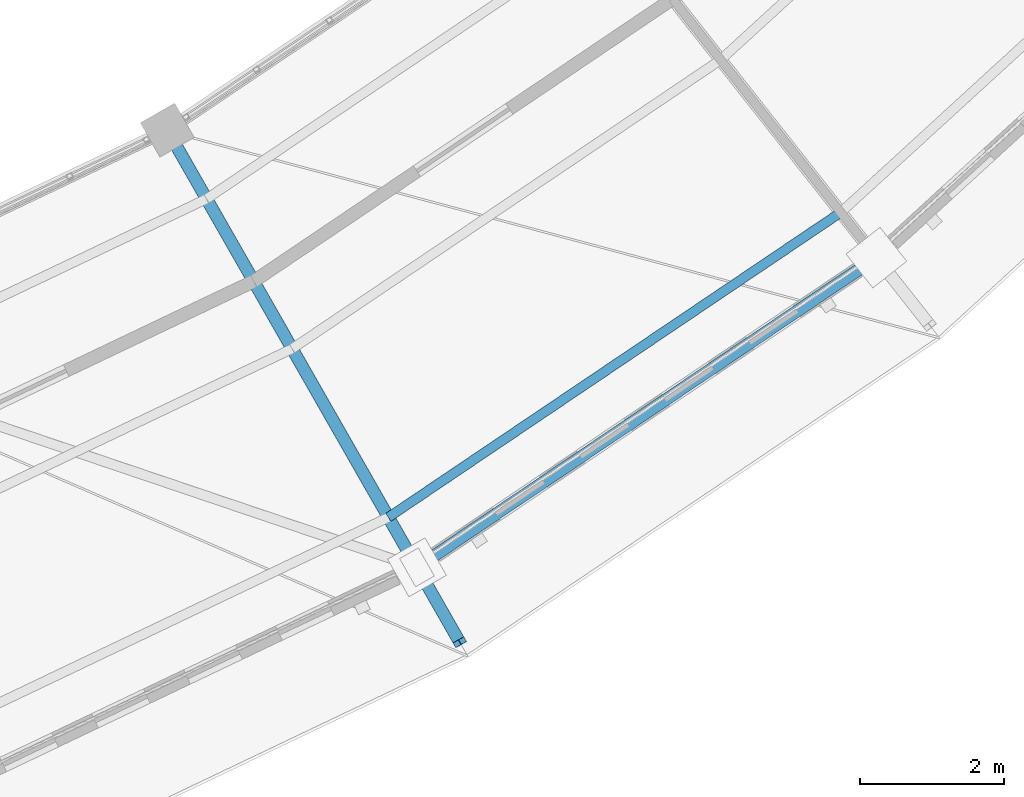
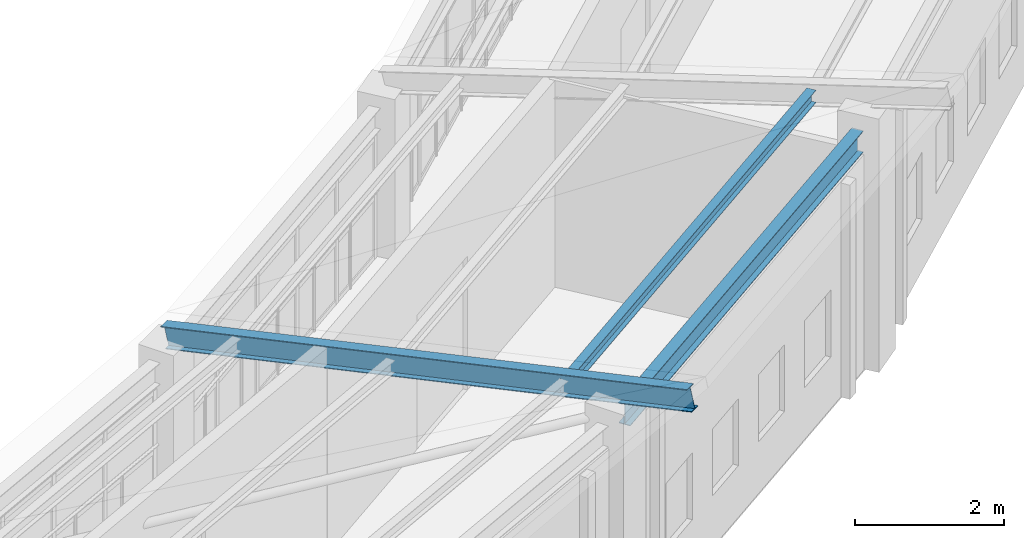
# One storey, part 45 of 149: 2 members, 1 beam.
"""IFC4 building model written with IfcOpenShell, lengths in metres."""

from ifc_helpers import new_model, si_unit, direction, frame, origin, origin_2d, place, context, subcontext, project, spatial, i_section, extrude, material, material_profile, profile_set, type_object, element, save


model = new_model("IFC4")

# Units and contexts
model_context = context("Model", 3, precision=1e-05, world=origin(), true_north=direction((0.0, 1.0)))
body_context = subcontext(model_context, "Body", "Model", "MODEL_VIEW")
ifc_project = project(units=[si_unit("LENGTHUNIT", "METRE"), si_unit("AREAUNIT", "SQUARE_METRE"), si_unit("VOLUMEUNIT", "CUBIC_METRE"), si_unit("PLANEANGLEUNIT", "RADIAN"), si_unit("MASSUNIT", "GRAM", prefix="KILO")], contexts=[model_context])

# Site, building, storey
site_placement = place(None, origin())
site = spatial("IfcSite", under=ifc_project, at=site_placement, CompositionType="ELEMENT")
building_placement = place(site_placement, origin())
building = spatial("IfcBuilding", under=site, at=building_placement, Name="Celadon Cloister-Ring School", CompositionType="ELEMENT")
storey_placement = place(building_placement, frame((0.0, 0.0, 12.5)))
storey = spatial("IfcBuildingStorey", under=building, at=storey_placement, Name="L03", CompositionType="ELEMENT", Elevation=12.5)

# Members
ifc_material_1 = material(Name="Structural steel S355JR", Category="steel")
ifc_material_profile_1 = material_profile(ifc_material_1, i_section(OverallWidth=0.133056640625, OverallDepth=0.20703125, WebThickness=0.005859375, FlangeThickness=0.00830078125, at=origin_2d()), Name="W200X27")
ifc_profile_set_1 = profile_set([ifc_material_profile_1], Name="Structural steel S355JR")
member_type_1 = type_object("IfcMemberType", Name="MP-04", PredefinedType="PURLIN", material=ifc_profile_set_1)
member_1_placement = place(storey_placement, frame((112.39501953125, 14.5419921875, 4.073974609375), z_axis=(0.829202220415, 0.558948725429, 0.0), x_axis=(-0.558948725429, 0.829202220415, 0.0)))
element("IfcMember", 1, at=member_1_placement, inside=storey, type_object=member_type_1, Name="Structural Member 0187", PredefinedType="PURLIN", context=body_context, shape_type="SweptSolid", body=[
    extrude(i_section(OverallWidth=0.133056640625, OverallDepth=0.20703125, WebThickness=0.005859375, FlangeThickness=0.00830078125, at=origin_2d()), origin(), (0.0, 0.0, 1.0), 7.585693359375),
])
ifc_material_2 = material(Name="Structural steel S355JR", Category="steel")
ifc_material_profile_2 = material_profile(ifc_material_2, i_section(OverallWidth=0.1708984375, OverallDepth=0.35498046875, WebThickness=0.007080078125, FlangeThickness=0.01171875, at=origin_2d()), Name="W360X51")
ifc_profile_set_2 = profile_set([ifc_material_profile_2], Name="Structural steel S355JR")
member_type_2 = type_object("IfcMemberType", Name="MR-05", PredefinedType="RAFTER", material=ifc_profile_set_2)
member_2_placement = place(storey_placement, frame((109.320068359375, 19.926025390625, 2.72607421875), z_axis=(0.48370680709, -0.846966031288, 0.220626985248), x_axis=(0.868364032889, 0.49592731966, 0.0)))
element("IfcMember", 2, at=member_2_placement, inside=storey, type_object=member_type_2, Name="Structural Member 0044", PredefinedType="RAFTER", context=body_context, shape_type="SweptSolid", body=[
    extrude(i_section(OverallWidth=0.1708984375, OverallDepth=0.35498046875, WebThickness=0.007080078125, FlangeThickness=0.01171875, at=origin_2d()), origin(), (0.0, 0.0, 1.0), 8.40771484375),
])

# Beam
ifc_material_3 = material(Name="Structural steel S355JR", Category="steel")
ifc_material_profile_3 = material_profile(ifc_material_3, i_section(OverallWidth=0.1708984375, OverallDepth=0.35498046875, WebThickness=0.007080078125, FlangeThickness=0.01171875, at=origin_2d()), Name="W360X51")
ifc_profile_set_3 = profile_set([ifc_material_profile_3], Name="Structural steel S355JR")
beam_type = type_object("IfcBeamType", Name="SP-04", PredefinedType="SPANDREL", material=ifc_profile_set_3)
beam_placement = place(storey_placement, frame((113.02001953125, 14.0009765625, 3.722900390625), z_axis=(0.829235824362, 0.558898870632, 0.0), x_axis=(-0.558898870632, 0.829235824362, 0.0)))
element("IfcBeam", 3, at=beam_placement, inside=storey, type_object=beam_type, Name="Beam 0563", PredefinedType="SPANDREL", context=body_context, shape_type="SweptSolid", body=[
    extrude(i_section(OverallWidth=0.1708984375, OverallDepth=0.35498046875, WebThickness=0.007080078125, FlangeThickness=0.01171875, at=origin_2d()), origin(), (0.0, 0.0, 1.0), 7.1533203125),
])

save(model, "model.ifc")
